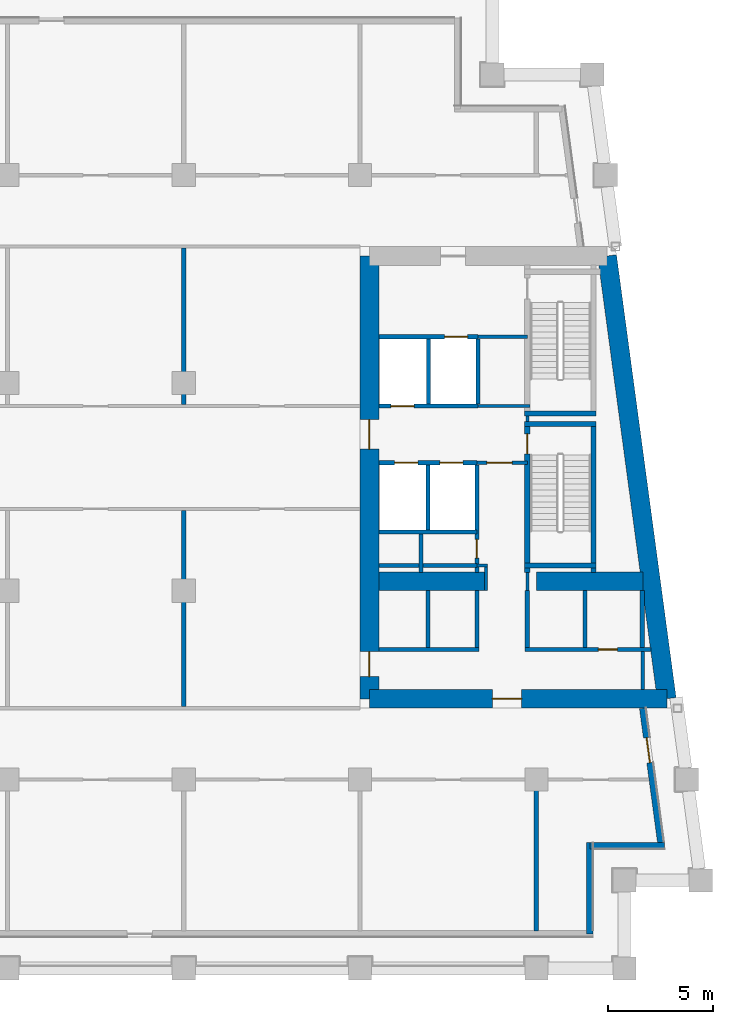
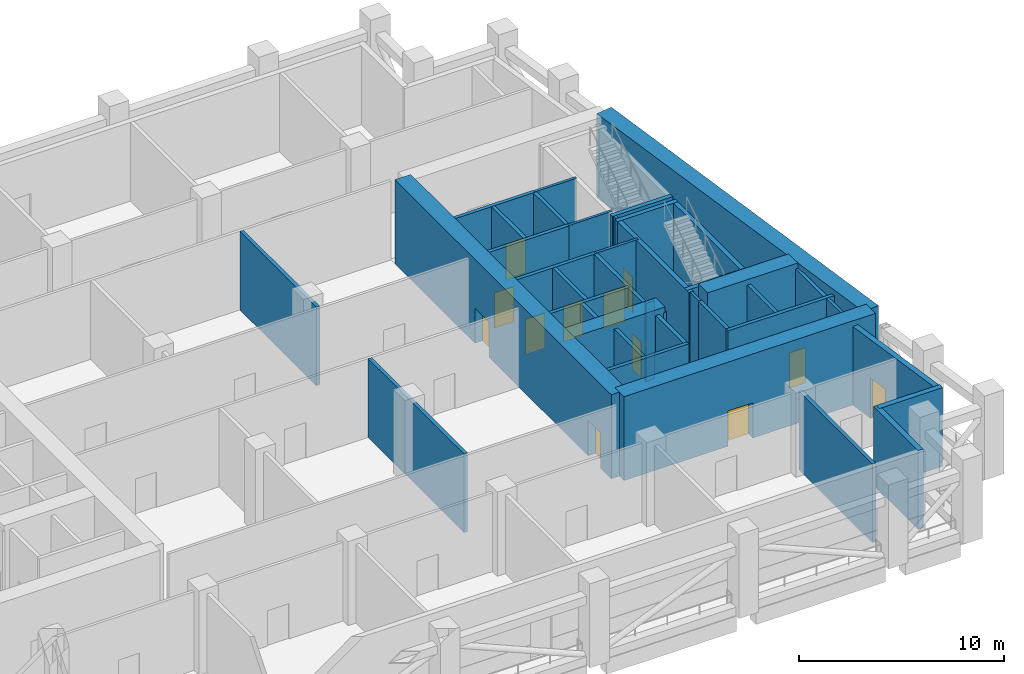
# One storey, part 6 of 12: 41 walls, 12 doors, 12 openings.
"""IFC4 building model written with IfcOpenShell, lengths in metres."""

from ifc_helpers import new_model, si_unit, direction, frame, frame_2d, origin, place, context, subcontext, project, spatial, rectangle, extrude, material, layer, layer_set, type_object, element, fill, save


model = new_model("IFC4")

# Units and contexts
model_context = context("Model", 3, precision=1e-05, world=origin(), true_north=direction((0.0, 1.0)))
body_context = subcontext(model_context, "Body", "Model", "MODEL_VIEW")
ifc_project = project(units=[si_unit("LENGTHUNIT", "METRE"), si_unit("AREAUNIT", "SQUARE_METRE"), si_unit("VOLUMEUNIT", "CUBIC_METRE"), si_unit("PLANEANGLEUNIT", "RADIAN"), si_unit("MASSUNIT", "GRAM", prefix="KILO")], contexts=[model_context])

# Site, building, storey
site_placement = place(None, origin())
site = spatial("IfcSite", under=ifc_project, at=site_placement, CompositionType="ELEMENT")
building_placement = place(site_placement, origin())
building = spatial("IfcBuilding", under=site, at=building_placement, Name="Candeia Pilgrim Tower and Theatre", CompositionType="ELEMENT")
storey_placement = place(building_placement, frame((0.0, 0.0, 197.199951171875)))
storey = spatial("IfcBuildingStorey", under=building, at=storey_placement, Name="L47", CompositionType="ELEMENT", Elevation=197.199951171875)

# Wall
ifc_material_1 = material(Name="Concrete C60/75", Category="concrete")
ifc_layer_1 = layer(ifc_material_1, 0.89990234375)
ifc_layer_set_1 = layer_set([ifc_layer_1], Name="Core wall 900 C60/75")
wall_type_1 = type_object("IfcWallType", Name="Core wall 900 C60/75", PredefinedType="SHEAR", material=ifc_layer_set_1)
wall_1_placement = place(storey_placement, frame((137.775634765625, 131.949951171875, 0.0), z_axis=(0.0, 0.0, 1.0), x_axis=(0.133421759112, -0.991059349482, 0.0)))
element("IfcWall", 1, at=wall_1_placement, inside=storey, type_object=wall_type_1, Name="Core wall E2", PredefinedType="SHEAR", context=body_context, shape_type="SweptSolid", body=[
    extrude(rectangle(XDim=21.290283203125, YDim=0.89990234375, at=frame_2d((10.64501953125, 0.0))), origin(), (0.0, 0.0, 1.0), 5.0),
])

# Wall, opening, door
wall_2_placement = place(storey_placement, frame((140.6162109375, 110.85009765625, 0.0), z_axis=(0.0, 0.0, 1.0), x_axis=(-1.0, 0.0, 0.0)))
wall_2 = element("IfcWall", 2, at=wall_2_placement, inside=storey, type_object=wall_type_1, Name="Core wall E3", PredefinedType="SHEAR", context=body_context, shape_type="SweptSolid", body=[
    extrude(rectangle(XDim=14.166259765625, YDim=0.89990234375, at=frame_2d((7.0830078125, 0.0))), origin(), (0.0, 0.0, 1.0), 5.0),
])
opening_1_placement = place(wall_2_placement, frame((6.911376953125, 0.0, 0.0)))
opening_1 = element("IfcOpeningElement", 3, at=opening_1_placement, cuts=wall_2, Name="Opening L47-D037", PredefinedType="OPENING", context=body_context, shape_type="SweptSolid", body=[
    extrude(rectangle(XDim=1.39990234375, YDim=2.10009765625, at=frame_2d((0.699951171875, 1.050048828125))), frame((0.0, 0.4599609375, 0.0), z_axis=(0.0, -1.0, 0.0), x_axis=(1.0, 0.0, 0.0)), (0.0, 0.0, 1.0), 0.919921875),
])
ifc_material_2 = material(Name="Steel fire door set", Category="steel")
door_type_1 = type_object("IfcDoorType", Name="D-1400-FD60", OperationType="NOTDEFINED", PredefinedType="DOOR", material=ifc_material_2)
door_1_placement = place(opening_1_placement, origin())
door_1 = element("IfcDoor", 4, at=door_1_placement, inside=storey, type_object=door_type_1, Name="Door L47-D037", OperationType="SINGLE_SWING_RIGHT", OverallHeight=2.10009765625, OverallWidth=1.39990234375, PredefinedType="DOOR", context=body_context, shape_type="SweptSolid", body=[
    extrude(rectangle(XDim=1.39990234375, YDim=2.10009765625, at=frame_2d((0.699951171875, 1.050048828125))), frame((0.0, 0.02490234375, 0.0), z_axis=(0.0, -1.0, 0.0), x_axis=(1.0, 0.0, 0.0)), (0.0, 0.0, 1.0), 0.050048828125),
])
fill(opening_1, door_1)

# Wall, openings, doors
wall_3_placement = place(storey_placement, frame((126.449951171875, 110.85009765625, 0.0), z_axis=(0.0, 0.0, 1.0), x_axis=(0.0, 1.0, 0.0)))
wall_3 = element("IfcWall", 5, at=wall_3_placement, inside=storey, type_object=wall_type_1, Name="Core wall E4", PredefinedType="SHEAR", context=body_context, shape_type="SweptSolid", body=[
    extrude(rectangle(XDim=21.099853515625, YDim=0.89990234375, at=frame_2d((10.5498046875, 0.0))), origin(), (0.0, 0.0, 1.0), 5.0),
])
opening_2_placement = place(wall_3_placement, frame((1.050048828125, 0.0, 0.0)))
opening_2 = element("IfcOpeningElement", 6, at=opening_2_placement, cuts=wall_3, Name="Opening L47-D033", PredefinedType="OPENING", context=body_context, shape_type="SweptSolid", body=[
    extrude(rectangle(XDim=1.199951171875, YDim=2.10009765625, at=frame_2d((0.60009765625, 1.050048828125))), frame((0.0, 0.4599609375, 0.0), z_axis=(0.0, -1.0, 0.0), x_axis=(1.0, 0.0, 0.0)), (0.0, 0.0, 1.0), 0.919921875),
])
opening_3_placement = place(wall_3_placement, frame((11.89990234375, 0.0, 0.0)))
opening_3 = element("IfcOpeningElement", 7, at=opening_3_placement, cuts=wall_3, Name="Opening L47-D039", PredefinedType="OPENING", context=body_context, shape_type="SweptSolid", body=[
    extrude(rectangle(XDim=1.39990234375, YDim=2.10009765625, at=frame_2d((0.699951171875, 1.050048828125))), frame((0.0, 0.4599609375, 0.0), z_axis=(0.0, -1.0, 0.0), x_axis=(1.0, 0.0, 0.0)), (0.0, 0.0, 1.0), 0.919921875),
])
door_type_2 = type_object("IfcDoorType", Name="D-1200-FD60", OperationType="NOTDEFINED", PredefinedType="DOOR", material=ifc_material_2)
door_2_placement = place(opening_2_placement, origin())
door_2 = element("IfcDoor", 8, at=door_2_placement, inside=storey, type_object=door_type_2, Name="Door L47-D033", OperationType="SINGLE_SWING_RIGHT", OverallHeight=2.10009765625, OverallWidth=1.199951171875, PredefinedType="DOOR", context=body_context, shape_type="SweptSolid", body=[
    extrude(rectangle(XDim=1.199951171875, YDim=2.10009765625, at=frame_2d((0.60009765625, 1.050048828125))), frame((0.0, 0.02490234375, 0.0), z_axis=(0.0, -1.0, 0.0), x_axis=(1.0, 0.0, 0.0)), (0.0, 0.0, 1.0), 0.050048828125),
])
fill(opening_2, door_2)
door_3_placement = place(opening_3_placement, origin())
door_3 = element("IfcDoor", 9, at=door_3_placement, inside=storey, type_object=door_type_1, Name="Door L47-D039", OperationType="SINGLE_SWING_RIGHT", OverallHeight=2.10009765625, OverallWidth=1.39990234375, PredefinedType="DOOR", context=body_context, shape_type="SweptSolid", body=[
    extrude(rectangle(XDim=1.39990234375, YDim=2.10009765625, at=frame_2d((0.699951171875, 1.050048828125))), frame((0.0, 0.02490234375, 0.0), z_axis=(0.0, -1.0, 0.0), x_axis=(1.0, 0.0, 0.0)), (0.0, 0.0, 1.0), 0.050048828125),
])
fill(opening_3, door_3)

# Walls
wall_4_placement = place(storey_placement, frame((126.89990234375, 116.449951171875, 0.0), z_axis=(0.0, 0.0, 1.0), x_axis=(1.0, 0.0, 0.0)))
element("IfcWall", 10, at=wall_4_placement, inside=storey, type_object=wall_type_1, Name="Core wall E5", PredefinedType="SHEAR", context=body_context, shape_type="SweptSolid", body=[
    extrude(rectangle(XDim=5.10009765625, YDim=0.89990234375, at=frame_2d((2.550048828125, 0.0))), origin(), (0.0, 0.0, 1.0), 5.0),
])
wall_5_placement = place(storey_placement, frame((134.39990234375, 116.449951171875, 0.0), z_axis=(0.0, 0.0, 1.0), x_axis=(1.0, 0.0, 0.0)))
element("IfcWall", 11, at=wall_5_placement, inside=storey, type_object=wall_type_1, Name="Core wall E6", PredefinedType="SHEAR", context=body_context, shape_type="SweptSolid", body=[
    extrude(rectangle(XDim=5.076904296875, YDim=0.89990234375, at=frame_2d((2.53857421875, 0.0))), origin(), (0.0, 0.0, 1.0), 5.0),
])
ifc_material_3 = material(Name="Ceramic block masonry", Category="masonry")
ifc_layer_2 = layer(ifc_material_3, 0.300048828125)
ifc_layer_set_2 = layer_set([ifc_layer_2], Name="EW1 glazing-line wall 300")
wall_type_2 = type_object("IfcWallType", Name="EW1 glazing-line wall 300", PredefinedType="SOLIDWALL", material=ifc_layer_set_2)
wall_6_placement = place(storey_placement, frame((136.949951171875, 99.64990234375, 0.0), z_axis=(0.0, 0.0, 1.0), x_axis=(0.0, 1.0, 0.0)))
element("IfcWall", 12, at=wall_6_placement, inside=storey, type_object=wall_type_2, Name="External wall L47-1.0", PredefinedType="SOLIDWALL", context=body_context, shape_type="SweptSolid", body=[
    extrude(rectangle(XDim=4.35009765625, YDim=0.300048828125, at=frame_2d((2.175048828125, 0.0))), origin(), (0.0, 0.0, 1.0), 4.679931640625),
])
wall_7_placement = place(storey_placement, frame((136.949951171875, 103.85009765625, 0.0), z_axis=(0.0, 0.0, 1.0), x_axis=(1.0, 0.0, 0.0)))
element("IfcWall", 13, at=wall_7_placement, inside=storey, type_object=wall_type_2, Name="External wall L47-2.0", PredefinedType="SOLIDWALL", context=body_context, shape_type="SweptSolid", body=[
    extrude(rectangle(XDim=3.569091796875, YDim=0.300048828125, at=frame_2d((1.78466796875, 0.0))), origin(), (0.0, 0.0, 1.0), 4.679931640625),
])

# Wall, opening, door
wall_8_placement = place(storey_placement, frame((140.34765625, 103.85009765625, 0.0), z_axis=(0.0, 0.0, 1.0), x_axis=(-0.133431549479, 0.991058031401, 0.0)))
wall_8 = element("IfcWall", 14, at=wall_8_placement, inside=storey, type_object=wall_type_2, Name="External wall L47-3.0", PredefinedType="SOLIDWALL", context=body_context, shape_type="SweptSolid", body=[
    extrude(rectangle(XDim=6.60888671875, YDim=0.300048828125, at=frame_2d((3.304443359375, 0.0))), origin(), (0.0, 0.0, 1.0), 4.679931640625),
])
opening_4_placement = place(wall_8_placement, frame((3.990966796875, 0.0, 0.0)))
opening_4 = element("IfcOpeningElement", 15, at=opening_4_placement, cuts=wall_8, Name="Opening L47-ED445", PredefinedType="OPENING", context=body_context, shape_type="SweptSolid", body=[
    extrude(rectangle(XDim=1.199951171875, YDim=2.39990234375, at=frame_2d((0.60009765625, 1.199951171875))), frame((0.0, 0.16015625, 0.0), z_axis=(0.0, -1.0, 0.0), x_axis=(1.0, 0.0, 0.0)), (0.0, 0.0, 1.0), 0.320068359375),
])
ifc_material_4 = material(Name="Aluminium framed glazed door", Category="aluminium")
door_type_3 = type_object("IfcDoorType", Name="Loggia door 1200x2400", OperationType="DOUBLE_DOOR_SINGLE_SWING", PredefinedType="DOOR", material=ifc_material_4)
door_4_placement = place(opening_4_placement, origin())
door_4 = element("IfcDoor", 16, at=door_4_placement, inside=storey, type_object=door_type_3, Name="Loggia door L47-ED445", OperationType="DOUBLE_DOOR_SINGLE_SWING", OverallHeight=2.39990234375, OverallWidth=1.199951171875, PredefinedType="DOOR", context=body_context, shape_type="SweptSolid", body=[
    extrude(rectangle(XDim=1.199951171875, YDim=2.39990234375, at=frame_2d((0.60009765625, 1.199951171875))), frame((0.0, 0.02490234375, 0.0), z_axis=(0.0, -1.0, 0.0), x_axis=(1.0, 0.0, 0.0)), (0.0, 0.0, 1.0), 0.050048828125),
])
fill(opening_4, door_4)

# Wall
ifc_material_5 = material(Name="Gypsum board partition on steel studs", Category="steel")
ifc_layer_3 = layer(ifc_material_5, 0.14990234375)
ifc_layer_set_3 = layer_set([ifc_layer_3], Name="PW-150 lobby wall")
wall_type_3 = type_object("IfcWallType", Name="PW-150 lobby wall", PredefinedType="PARTITIONING", material=ifc_layer_set_3)
wall_9_placement = place(storey_placement, frame((131.572998046875, 117.199951171875, 0.0), z_axis=(0.0, 0.0, 1.0), x_axis=(1.0, 0.0, 0.0)))
element("IfcWall", 17, at=wall_9_placement, inside=storey, type_object=wall_type_3, Name="Lobby wall L47-010", PredefinedType="PARTITIONING", context=body_context, shape_type="SweptSolid", body=[
    extrude(rectangle(XDim=0.501953125, YDim=0.14990234375, at=frame_2d((0.2509765625, 0.0))), origin(), (0.0, 0.0, 1.0), 4.679931640625),
])

# Wall, opening, door
wall_10_placement = place(storey_placement, frame((131.572998046875, 122.10009765625, 0.0), z_axis=(0.0, 0.0, 1.0), x_axis=(1.0, 0.0, 0.0)))
wall_10 = element("IfcWall", 18, at=wall_10_placement, inside=storey, type_object=wall_type_3, Name="Lobby wall L47-019", PredefinedType="PARTITIONING", context=body_context, shape_type="SweptSolid", body=[
    extrude(rectangle(XDim=2.39990234375, YDim=0.14990234375, at=frame_2d((1.199951171875, 0.0))), origin(), (0.0, 0.0, 1.0), 4.679931640625),
])
opening_5_placement = place(wall_10_placement, frame((0.47509765625, 0.0, 0.0)))
opening_5 = element("IfcOpeningElement", 19, at=opening_5_placement, cuts=wall_10, Name="Opening L47-D027", PredefinedType="OPENING", context=body_context, shape_type="SweptSolid", body=[
    extrude(rectangle(XDim=1.199951171875, YDim=2.10009765625, at=frame_2d((0.60009765625, 1.050048828125))), frame((0.0, 0.0849609375, 0.0), z_axis=(0.0, -1.0, 0.0), x_axis=(1.0, 0.0, 0.0)), (0.0, 0.0, 1.0), 0.169921875),
])
door_5_placement = place(opening_5_placement, origin())
door_5 = element("IfcDoor", 20, at=door_5_placement, inside=storey, type_object=door_type_2, Name="Door L47-D027", OperationType="SINGLE_SWING_RIGHT", OverallHeight=2.10009765625, OverallWidth=1.199951171875, PredefinedType="DOOR", context=body_context, shape_type="SweptSolid", body=[
    extrude(rectangle(XDim=1.199951171875, YDim=2.10009765625, at=frame_2d((0.60009765625, 1.050048828125))), frame((0.0, 0.02490234375, 0.0), z_axis=(0.0, -1.0, 0.0), x_axis=(1.0, 0.0, 0.0)), (0.0, 0.0, 1.0), 0.050048828125),
])
fill(opening_5, door_5)

# Walls
wall_11_placement = place(storey_placement, frame((131.615234375, 124.800048828125, 0.0), z_axis=(0.0, 0.0, 1.0), x_axis=(1.0, 0.0, 0.0)))
element("IfcWall", 21, at=wall_11_placement, inside=storey, type_object=wall_type_3, Name="Lobby wall L47-026", PredefinedType="PARTITIONING", context=body_context, shape_type="SweptSolid", body=[
    extrude(rectangle(XDim=2.482666015625, YDim=0.14990234375, at=frame_2d((1.2412109375, 0.0))), origin(), (0.0, 0.0, 1.0), 4.679931640625),
])
wall_12_placement = place(storey_placement, frame((131.615234375, 128.10009765625, 0.0), z_axis=(0.0, 0.0, 1.0), x_axis=(1.0, 0.0, 0.0)))
element("IfcWall", 22, at=wall_12_placement, inside=storey, type_object=wall_type_3, Name="Lobby wall L47-030", PredefinedType="PARTITIONING", context=body_context, shape_type="SweptSolid", body=[
    extrude(rectangle(XDim=2.357666015625, YDim=0.14990234375, at=frame_2d((1.1787109375, 0.0))), origin(), (0.0, 0.0, 1.0), 4.679931640625),
])
wall_13_placement = place(storey_placement, frame((132.0, 116.0, 0.0), z_axis=(0.0, 0.0, 1.0), x_axis=(0.0, 1.0, 0.0)))
element("IfcWall", 23, at=wall_13_placement, inside=storey, type_object=wall_type_3, Name="Lobby wall L47-073", PredefinedType="PARTITIONING", context=body_context, shape_type="SweptSolid", body=[
    extrude(rectangle(XDim=1.125, YDim=0.14990234375, at=frame_2d((0.5625, 0.0))), origin(), (0.0, 0.0, 1.0), 4.679931640625),
])
wall_14_placement = place(storey_placement, frame((133.972900390625, 116.0, 0.0), z_axis=(0.0, 0.0, 1.0), x_axis=(0.0, 1.0, 0.0)))
element("IfcWall", 24, at=wall_14_placement, inside=storey, type_object=wall_type_3, Name="Lobby wall L47-075", PredefinedType="PARTITIONING", context=body_context, shape_type="SweptSolid", body=[
    extrude(rectangle(XDim=0.8701171875, YDim=0.14990234375, at=frame_2d((0.43505859375, 0.0))), origin(), (0.0, 0.0, 1.0), 4.679931640625),
])
wall_15_placement = place(storey_placement, frame((133.972900390625, 124.074951171875, 0.0), z_axis=(0.0, 0.0, 1.0), x_axis=(0.0, 1.0, 0.0)))
element("IfcWall", 25, at=wall_15_placement, inside=storey, type_object=wall_type_3, Name="Lobby wall L47-076", PredefinedType="PARTITIONING", context=body_context, shape_type="SweptSolid", body=[
    extrude(rectangle(XDim=0.25, YDim=0.14990234375, at=frame_2d((0.125, 0.0))), origin(), (0.0, 0.0, 1.0), 4.679931640625),
])
wall_16_placement = place(storey_placement, frame((139.471923828125, 111.300048828125, 0.0), z_axis=(0.0, 0.0, 1.0), x_axis=(0.0, 1.0, 0.0)))
element("IfcWall", 26, at=wall_16_placement, inside=storey, type_object=wall_type_3, Name="Lobby wall L47-085", PredefinedType="PARTITIONING", context=body_context, shape_type="SweptSolid", body=[
    extrude(rectangle(XDim=1.800048828125, YDim=0.14990234375, at=frame_2d((0.89990234375, 0.0))), origin(), (0.0, 0.0, 1.0), 4.679931640625),
])
ifc_layer_4 = layer(ifc_material_5, 0.199951171875)
ifc_layer_set_4 = layer_set([ifc_layer_4], Name="PW-200 party wall")
wall_type_4 = type_object("IfcWallType", Name="PW-200 party wall", PredefinedType="PARTITIONING", material=ifc_layer_set_4)
wall_17_placement = place(storey_placement, frame((117.60009765625, 110.47509765625, 0.0), z_axis=(0.0, 0.0, 1.0), x_axis=(0.0, 1.0, 0.0)))
element("IfcWall", 27, at=wall_17_placement, inside=storey, type_object=wall_type_4, Name="Party wall L47-061", PredefinedType="PARTITIONING", context=body_context, shape_type="SweptSolid", body=[
    extrude(rectangle(XDim=9.349853515625, YDim=0.199951171875, at=frame_2d((4.6748046875, 0.0))), origin(), (0.0, 0.0, 1.0), 4.679931640625),
])
wall_18_placement = place(storey_placement, frame((117.60009765625, 124.875, 0.0), z_axis=(0.0, 0.0, 1.0), x_axis=(0.0, 1.0, 0.0)))
element("IfcWall", 28, at=wall_18_placement, inside=storey, type_object=wall_type_4, Name="Party wall L47-062", PredefinedType="PARTITIONING", context=body_context, shape_type="SweptSolid", body=[
    extrude(rectangle(XDim=7.449951171875, YDim=0.199951171875, at=frame_2d((3.72509765625, 0.0))), origin(), (0.0, 0.0, 1.0), 4.679931640625),
])
wall_19_placement = place(storey_placement, frame((134.39990234375, 99.7900390625, 0.0), z_axis=(0.0, 0.0, 1.0), x_axis=(0.0, 1.0, 0.0)))
element("IfcWall", 29, at=wall_19_placement, inside=storey, type_object=wall_type_4, Name="Party wall L47-079", PredefinedType="PARTITIONING", context=body_context, shape_type="SweptSolid", body=[
    extrude(rectangle(XDim=7.135009765625, YDim=0.199951171875, at=frame_2d((3.5673828125, 0.0))), origin(), (0.0, 0.0, 1.0), 4.679931640625),
])
ifc_material_6 = material(Name="Concrete C40/50", Category="concrete")
ifc_layer_5 = layer(ifc_material_6, 0.199951171875)
ifc_layer_set_5 = layer_set([ifc_layer_5], Name="SW-200 shaft wall")
wall_type_5 = type_object("IfcWallType", Name="SW-200 shaft wall", PredefinedType="PARTITIONING", material=ifc_layer_set_5)
wall_20_placement = place(storey_placement, frame((126.89990234375, 113.199951171875, 0.0), z_axis=(0.0, 0.0, 1.0), x_axis=(1.0, 0.0, 0.0)))
element("IfcWall", 30, at=wall_20_placement, inside=storey, type_object=wall_type_5, Name="Shaft wall L47-005", PredefinedType="PARTITIONING", context=body_context, shape_type="SweptSolid", body=[
    extrude(rectangle(XDim=4.773193359375, YDim=0.199951171875, at=frame_2d((2.38671875, 0.0))), origin(), (0.0, 0.0, 1.0), 4.679931640625),
])

# Wall, opening, door
wall_21_placement = place(storey_placement, frame((133.873046875, 113.199951171875, 0.0), z_axis=(0.0, 0.0, 1.0), x_axis=(1.0, 0.0, 0.0)))
wall_21 = element("IfcWall", 31, at=wall_21_placement, inside=storey, type_object=wall_type_5, Name="Shaft wall L47-006", PredefinedType="PARTITIONING", context=body_context, shape_type="SweptSolid", body=[
    extrude(rectangle(XDim=6.002685546875, YDim=0.199951171875, at=frame_2d((3.00146484375, 0.0))), origin(), (0.0, 0.0, 1.0), 4.679931640625),
])
opening_6_placement = place(wall_21_placement, frame((3.487060546875, 0.0, 0.0)))
opening_6 = element("IfcOpeningElement", 32, at=opening_6_placement, cuts=wall_21, Name="Opening L47-D031", PredefinedType="OPENING", context=body_context, shape_type="SweptSolid", body=[
    extrude(rectangle(XDim=0.89990234375, YDim=2.10009765625, at=frame_2d((0.449951171875, 1.050048828125))), frame((0.0, 0.10986328125, 0.0), z_axis=(0.0, -1.0, 0.0), x_axis=(1.0, 0.0, 0.0)), (0.0, 0.0, 1.0), 0.219970703125),
])
door_type_4 = type_object("IfcDoorType", Name="D-900-FD60", OperationType="NOTDEFINED", PredefinedType="DOOR", material=ifc_material_2)
door_6_placement = place(opening_6_placement, origin())
door_6 = element("IfcDoor", 33, at=door_6_placement, inside=storey, type_object=door_type_4, Name="Door L47-D031", OperationType="SINGLE_SWING_RIGHT", OverallHeight=2.10009765625, OverallWidth=0.89990234375, PredefinedType="DOOR", context=body_context, shape_type="SweptSolid", body=[
    extrude(rectangle(XDim=0.89990234375, YDim=2.10009765625, at=frame_2d((0.449951171875, 1.050048828125))), frame((0.0, 0.02490234375, 0.0), z_axis=(0.0, -1.0, 0.0), x_axis=(1.0, 0.0, 0.0)), (0.0, 0.0, 1.0), 0.050048828125),
])
fill(opening_6, door_6)

# Walls
for number, where, z_axis, x_axis, name in (
    (34, (126.89990234375, 117.199951171875, 0.0), (0.0, 0.0, 1.0), (1.0, 0.0, 0.0), "Shaft wall L47-008"),
    (35, (126.89990234375, 118.800048828125, 0.0), (0.0, 0.0, 1.0), (1.0, 0.0, 0.0), "Shaft wall L47-014"),
):
    element("IfcWall", number, at=place(storey_placement, frame(where, z_axis=z_axis, x_axis=x_axis)), inside=storey, type_object=wall_type_5, Name=name, PredefinedType="PARTITIONING", context=body_context, shape_type="SweptSolid", body=[
        extrude(rectangle(XDim=4.673095703125, YDim=0.199951171875, at=frame_2d((2.33642578125, 0.0))), origin(), (0.0, 0.0, 1.0), 4.679931640625),
    ])

# Wall, openings, doors
wall_22_placement = place(storey_placement, frame((126.89990234375, 122.10009765625, 0.0), z_axis=(0.0, 0.0, 1.0), x_axis=(1.0, 0.0, 0.0)))
wall_22 = element("IfcWall", 36, at=wall_22_placement, inside=storey, type_object=wall_type_5, Name="Shaft wall L47-017", PredefinedType="PARTITIONING", context=body_context, shape_type="SweptSolid", body=[
    extrude(rectangle(XDim=4.673095703125, YDim=0.199951171875, at=frame_2d((2.33642578125, 0.0))), origin(), (0.0, 0.0, 1.0), 4.679931640625),
])
opening_7_placement = place(wall_22_placement, frame((2.90087890625, 0.0, 0.0)))
opening_7 = element("IfcOpeningElement", 37, at=opening_7_placement, cuts=wall_22, Name="Opening L47-LD05", PredefinedType="OPENING", context=body_context, shape_type="SweptSolid", body=[
    extrude(rectangle(XDim=1.10009765625, YDim=2.10009765625, at=frame_2d((0.550048828125, 1.050048828125))), frame((0.0, 0.10986328125, 0.0), z_axis=(0.0, -1.0, 0.0), x_axis=(1.0, 0.0, 0.0)), (0.0, 0.0, 1.0), 0.219970703125),
])
opening_8_placement = place(wall_22_placement, frame((0.751953125, 0.0, 0.0)))
opening_8 = element("IfcOpeningElement", 38, at=opening_8_placement, cuts=wall_22, Name="Opening L47-LD06", PredefinedType="OPENING", context=body_context, shape_type="SweptSolid", body=[
    extrude(rectangle(XDim=1.10009765625, YDim=2.10009765625, at=frame_2d((0.550048828125, 1.050048828125))), frame((0.0, 0.10986328125, 0.0), z_axis=(0.0, -1.0, 0.0), x_axis=(1.0, 0.0, 0.0)), (0.0, 0.0, 1.0), 0.219970703125),
])
ifc_material_7 = material(Name="Glazed aluminium landing door", Category="aluminium")
door_type_5 = type_object("IfcDoorType", Name="LD-1100-EI120", OperationType="SLIDING_TO_LEFT", PredefinedType="DOOR", material=ifc_material_7)
door_7_placement = place(opening_7_placement, origin())
door_7 = element("IfcDoor", 39, at=door_7_placement, inside=storey, type_object=door_type_5, Name="Landing door 05 L47", OperationType="SLIDING_TO_LEFT", OverallHeight=2.10009765625, OverallWidth=1.10009765625, PredefinedType="DOOR", context=body_context, shape_type="SweptSolid", body=[
    extrude(rectangle(XDim=1.10009765625, YDim=2.10009765625, at=frame_2d((0.550048828125, 1.050048828125))), frame((0.0, 0.02490234375, 0.0), z_axis=(0.0, -1.0, 0.0), x_axis=(1.0, 0.0, 0.0)), (0.0, 0.0, 1.0), 0.050048828125),
])
fill(opening_7, door_7)
door_8_placement = place(opening_8_placement, origin())
door_8 = element("IfcDoor", 40, at=door_8_placement, inside=storey, type_object=door_type_5, Name="Landing door 06 L47", OperationType="SLIDING_TO_LEFT", OverallHeight=2.10009765625, OverallWidth=1.10009765625, PredefinedType="DOOR", context=body_context, shape_type="SweptSolid", body=[
    extrude(rectangle(XDim=1.10009765625, YDim=2.10009765625, at=frame_2d((0.550048828125, 1.050048828125))), frame((0.0, 0.02490234375, 0.0), z_axis=(0.0, -1.0, 0.0), x_axis=(1.0, 0.0, 0.0)), (0.0, 0.0, 1.0), 0.050048828125),
])
fill(opening_8, door_8)

# Wall, opening, door
wall_23_placement = place(storey_placement, frame((126.89990234375, 124.800048828125, 0.0), z_axis=(0.0, 0.0, 1.0), x_axis=(1.0, 0.0, 0.0)))
wall_23 = element("IfcWall", 41, at=wall_23_placement, inside=storey, type_object=wall_type_5, Name="Shaft wall L47-025", PredefinedType="PARTITIONING", context=body_context, shape_type="SweptSolid", body=[
    extrude(rectangle(XDim=4.71533203125, YDim=0.199951171875, at=frame_2d((2.357666015625, 0.0))), origin(), (0.0, 0.0, 1.0), 4.679931640625),
])
opening_9_placement = place(wall_23_placement, frame((0.572998046875, 0.0, 0.0)))
opening_9 = element("IfcOpeningElement", 42, at=opening_9_placement, cuts=wall_23, Name="Opening L47-LD08", PredefinedType="OPENING", context=body_context, shape_type="SweptSolid", body=[
    extrude(rectangle(XDim=1.10009765625, YDim=2.10009765625, at=frame_2d((0.550048828125, 1.050048828125))), frame((0.0, 0.10986328125, 0.0), z_axis=(0.0, -1.0, 0.0), x_axis=(1.0, 0.0, 0.0)), (0.0, 0.0, 1.0), 0.219970703125),
])
door_9_placement = place(opening_9_placement, origin())
door_9 = element("IfcDoor", 43, at=door_9_placement, inside=storey, type_object=door_type_5, Name="Landing door 08 L47", OperationType="SLIDING_TO_LEFT", OverallHeight=2.10009765625, OverallWidth=1.10009765625, PredefinedType="DOOR", context=body_context, shape_type="SweptSolid", body=[
    extrude(rectangle(XDim=1.10009765625, YDim=2.10009765625, at=frame_2d((0.550048828125, 1.050048828125))), frame((0.0, 0.02490234375, 0.0), z_axis=(0.0, -1.0, 0.0), x_axis=(1.0, 0.0, 0.0)), (0.0, 0.0, 1.0), 0.050048828125),
])
fill(opening_9, door_9)

wall_24_placement = place(storey_placement, frame((126.89990234375, 128.10009765625, 0.0), z_axis=(0.0, 0.0, 1.0), x_axis=(1.0, 0.0, 0.0)))
wall_24 = element("IfcWall", 44, at=wall_24_placement, inside=storey, type_object=wall_type_5, Name="Shaft wall L47-029", PredefinedType="PARTITIONING", context=body_context, shape_type="SweptSolid", body=[
    extrude(rectangle(XDim=4.71533203125, YDim=0.199951171875, at=frame_2d((2.357666015625, 0.0))), origin(), (0.0, 0.0, 1.0), 4.679931640625),
])
opening_10_placement = place(wall_24_placement, frame((3.1259765625, 0.0, 0.0)))
opening_10 = element("IfcOpeningElement", 45, at=opening_10_placement, cuts=wall_24, Name="Opening L47-LD07", PredefinedType="OPENING", context=body_context, shape_type="SweptSolid", body=[
    extrude(rectangle(XDim=1.10009765625, YDim=2.10009765625, at=frame_2d((0.550048828125, 1.050048828125))), frame((0.0, 0.10986328125, 0.0), z_axis=(0.0, -1.0, 0.0), x_axis=(1.0, 0.0, 0.0)), (0.0, 0.0, 1.0), 0.219970703125),
])
door_10_placement = place(opening_10_placement, origin())
door_10 = element("IfcDoor", 46, at=door_10_placement, inside=storey, type_object=door_type_5, Name="Landing door 07 L47", OperationType="SLIDING_TO_LEFT", OverallHeight=2.10009765625, OverallWidth=1.10009765625, PredefinedType="DOOR", context=body_context, shape_type="SweptSolid", body=[
    extrude(rectangle(XDim=1.10009765625, YDim=2.10009765625, at=frame_2d((0.550048828125, 1.050048828125))), frame((0.0, 0.02490234375, 0.0), z_axis=(0.0, -1.0, 0.0), x_axis=(1.0, 0.0, 0.0)), (0.0, 0.0, 1.0), 0.050048828125),
])
fill(opening_10, door_10)

# Walls
wall_25_placement = place(storey_placement, frame((128.89990234375, 116.8701171875, 0.0), z_axis=(0.0, 0.0, 1.0), x_axis=(0.0, 1.0, 0.0)))
element("IfcWall", 47, at=wall_25_placement, inside=storey, type_object=wall_type_5, Name="Shaft wall L47-066", PredefinedType="PARTITIONING", context=body_context, shape_type="SweptSolid", body=[
    extrude(rectangle(XDim=1.829833984375, YDim=0.199951171875, at=frame_2d((0.9150390625, 0.0))), origin(), (0.0, 0.0, 1.0), 4.679931640625),
])
wall_26_placement = place(storey_placement, frame((129.236572265625, 113.300048828125, 0.0), z_axis=(0.0, 0.0, 1.0), x_axis=(0.0, 1.0, 0.0)))
element("IfcWall", 48, at=wall_26_placement, inside=storey, type_object=wall_type_5, Name="Shaft wall L47-067", PredefinedType="PARTITIONING", context=body_context, shape_type="SweptSolid", body=[
    extrude(rectangle(XDim=2.699951171875, YDim=0.199951171875, at=frame_2d((1.35009765625, 0.0))), origin(), (0.0, 0.0, 1.0), 4.679931640625),
])
for number, where, z_axis, x_axis, name in (
    (49, (129.236572265625, 118.89990234375, 0.0), (0.0, 0.0, 1.0), (0.0, 1.0, 0.0), "Shaft wall L47-068"),
    (50, (129.2578125, 124.89990234375, 0.0), (0.0, 0.0, 1.0), (0.0, 1.0, 0.0), "Shaft wall L47-069"),
):
    element("IfcWall", number, at=place(storey_placement, frame(where, z_axis=z_axis, x_axis=x_axis)), inside=storey, type_object=wall_type_5, Name=name, PredefinedType="PARTITIONING", context=body_context, shape_type="SweptSolid", body=[
        extrude(rectangle(XDim=3.10009765625, YDim=0.199951171875, at=frame_2d((1.550048828125, 0.0))), origin(), (0.0, 0.0, 1.0), 4.679931640625),
    ])
wall_27_placement = place(storey_placement, frame((131.572998046875, 113.300048828125, 0.0), z_axis=(0.0, 0.0, 1.0), x_axis=(0.0, 1.0, 0.0)))
element("IfcWall", 51, at=wall_27_placement, inside=storey, type_object=wall_type_5, Name="Shaft wall L47-070", PredefinedType="PARTITIONING", context=body_context, shape_type="SweptSolid", body=[
    extrude(rectangle(XDim=2.699951171875, YDim=0.199951171875, at=frame_2d((1.35009765625, 0.0))), origin(), (0.0, 0.0, 1.0), 4.679931640625),
])

# Wall, opening, door
wall_28_placement = place(storey_placement, frame((131.572998046875, 116.8701171875, 0.0), z_axis=(0.0, 0.0, 1.0), x_axis=(0.0, 1.0, 0.0)))
wall_28 = element("IfcWall", 52, at=wall_28_placement, inside=storey, type_object=wall_type_5, Name="Shaft wall L47-071", PredefinedType="PARTITIONING", context=body_context, shape_type="SweptSolid", body=[
    extrude(rectangle(XDim=5.1298828125, YDim=0.199951171875, at=frame_2d((2.56494140625, 0.0))), origin(), (0.0, 0.0, 1.0), 4.679931640625),
])
opening_11_placement = place(wall_28_placement, frame((0.679931640625, 0.0, 0.0)))
opening_11 = element("IfcOpeningElement", 53, at=opening_11_placement, cuts=wall_28, Name="Opening L47-D030", PredefinedType="OPENING", context=body_context, shape_type="SweptSolid", body=[
    extrude(rectangle(XDim=0.89990234375, YDim=2.10009765625, at=frame_2d((0.449951171875, 1.050048828125))), frame((0.0, 0.10986328125, 0.0), z_axis=(0.0, -1.0, 0.0), x_axis=(1.0, 0.0, 0.0)), (0.0, 0.0, 1.0), 0.219970703125),
])
door_11_placement = place(opening_11_placement, origin())
door_11 = element("IfcDoor", 54, at=door_11_placement, inside=storey, type_object=door_type_4, Name="Door L47-D030", OperationType="SINGLE_SWING_LEFT", OverallHeight=2.10009765625, OverallWidth=0.89990234375, PredefinedType="DOOR", context=body_context, shape_type="SweptSolid", body=[
    extrude(rectangle(XDim=0.89990234375, YDim=2.10009765625, at=frame_2d((0.449951171875, 1.050048828125))), frame((0.0, 0.02490234375, 0.0), z_axis=(0.0, -1.0, 0.0), x_axis=(1.0, 0.0, 0.0)), (0.0, 0.0, 1.0), 0.050048828125),
])
fill(opening_11, door_11)

# Walls
wall_29_placement = place(storey_placement, frame((131.615234375, 124.89990234375, 0.0), z_axis=(0.0, 0.0, 1.0), x_axis=(0.0, 1.0, 0.0)))
element("IfcWall", 55, at=wall_29_placement, inside=storey, type_object=wall_type_5, Name="Shaft wall L47-072", PredefinedType="PARTITIONING", context=body_context, shape_type="SweptSolid", body=[
    extrude(rectangle(XDim=3.10009765625, YDim=0.199951171875, at=frame_2d((1.550048828125, 0.0))), origin(), (0.0, 0.0, 1.0), 4.679931640625),
])
for number, where, z_axis, x_axis, name in (
    (56, (133.972900390625, 113.300048828125, 0.0), (0.0, 0.0, 1.0), (0.0, 1.0, 0.0), "Shaft wall L47-074"),
    (57, (136.722412109375, 113.300048828125, 0.0), (0.0, 0.0, 1.0), (0.0, 1.0, 0.0), "Shaft wall L47-081"),
    (58, (139.44970703125, 113.300048828125, 0.0), (0.0, 0.0, 1.0), (0.0, 1.0, 0.0), "Shaft wall L47-084"),
):
    element("IfcWall", number, at=place(storey_placement, frame(where, z_axis=z_axis, x_axis=x_axis)), inside=storey, type_object=wall_type_5, Name=name, PredefinedType="PARTITIONING", context=body_context, shape_type="SweptSolid", body=[
        extrude(rectangle(XDim=2.699951171875, YDim=0.199951171875, at=frame_2d((1.35009765625, 0.0))), origin(), (0.0, 0.0, 1.0), 4.679931640625),
    ])
ifc_layer_6 = layer(ifc_material_6, 0.25)
ifc_layer_set_6 = layer_set([ifc_layer_6], Name="SW-250 stair wall")
wall_type_6 = type_object("IfcWallType", Name="SW-250 stair wall", PredefinedType="PARTITIONING", material=ifc_layer_set_6)
for number, where, z_axis, x_axis, name in (
    (59, (133.847900390625, 117.199951171875, 0.0), (0.0, 0.0, 1.0), (1.0, 0.0, 0.0), "Stair wall L47-012"),
    (60, (133.847900390625, 123.949951171875, 0.0), (0.0, 0.0, 1.0), (1.0, 0.0, 0.0), "Stair wall L47-021"),
    (61, (133.847900390625, 124.449951171875, 0.0), (0.0, 0.0, 1.0), (1.0, 0.0, 0.0), "Stair wall L47-023"),
):
    element("IfcWall", number, at=place(storey_placement, frame(where, z_axis=z_axis, x_axis=x_axis)), inside=storey, type_object=wall_type_6, Name=name, PredefinedType="PARTITIONING", context=body_context, shape_type="SweptSolid", body=[
        extrude(rectangle(XDim=3.400146484375, YDim=0.25, at=frame_2d((1.7001953125, 0.0))), origin(), (0.0, 0.0, 1.0), 4.679931640625),
    ])

# Wall, opening, door
wall_30_placement = place(storey_placement, frame((133.972900390625, 116.8701171875, 0.0), z_axis=(0.0, 0.0, 1.0), x_axis=(0.0, 1.0, 0.0)))
wall_30 = element("IfcWall", 62, at=wall_30_placement, inside=storey, type_object=wall_type_6, Name="Stair wall L47-077", PredefinedType="PARTITIONING", context=body_context, shape_type="SweptSolid", body=[
    extrude(rectangle(XDim=6.954833984375, YDim=0.25, at=frame_2d((3.4775390625, 0.0))), origin(), (0.0, 0.0, 1.0), 4.679931640625),
])
opening_12_placement = place(wall_30_placement, frame((5.655029296875, 0.0, 0.0)))
opening_12 = element("IfcOpeningElement", 63, at=opening_12_placement, cuts=wall_30, Name="Opening L47-D028", PredefinedType="OPENING", context=body_context, shape_type="SweptSolid", body=[
    extrude(rectangle(XDim=0.949951171875, YDim=2.10009765625, at=frame_2d((0.47509765625, 1.050048828125))), frame((0.0, 0.135009765625, 0.0), z_axis=(0.0, -1.0, 0.0), x_axis=(1.0, 0.0, 0.0)), (0.0, 0.0, 1.0), 0.27001953125),
])
door_type_6 = type_object("IfcDoorType", Name="D-950-FD60", OperationType="NOTDEFINED", PredefinedType="DOOR", material=ifc_material_2)
door_12_placement = place(opening_12_placement, origin())
door_12 = element("IfcDoor", 64, at=door_12_placement, inside=storey, type_object=door_type_6, Name="Door L47-D028", OperationType="SINGLE_SWING_LEFT", OverallHeight=2.10009765625, OverallWidth=0.949951171875, PredefinedType="DOOR", context=body_context, shape_type="SweptSolid", body=[
    extrude(rectangle(XDim=0.949951171875, YDim=2.10009765625, at=frame_2d((0.47509765625, 1.050048828125))), frame((0.0, 0.02490234375, 0.0), z_axis=(0.0, -1.0, 0.0), x_axis=(1.0, 0.0, 0.0)), (0.0, 0.0, 1.0), 0.050048828125),
])
fill(opening_12, door_12)

# Wall
wall_31_placement = place(storey_placement, frame((137.123046875, 116.8701171875, 0.0), z_axis=(0.0, 0.0, 1.0), x_axis=(0.0, 1.0, 0.0)))
element("IfcWall", 65, at=wall_31_placement, inside=storey, type_object=wall_type_6, Name="Stair wall L47-082", PredefinedType="PARTITIONING", context=body_context, shape_type="SweptSolid", body=[
    extrude(rectangle(XDim=6.954833984375, YDim=0.25, at=frame_2d((3.4775390625, 0.0))), origin(), (0.0, 0.0, 1.0), 4.679931640625),
])

save(model, "model.ifc")
